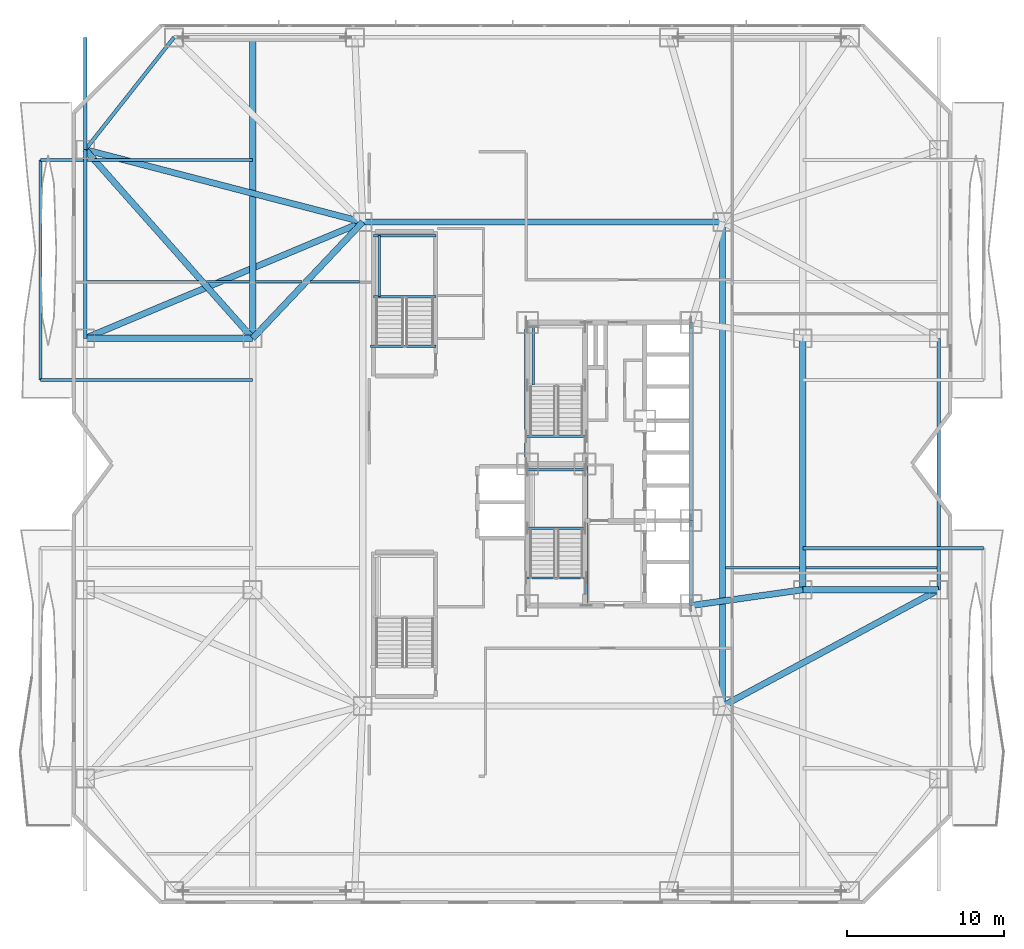
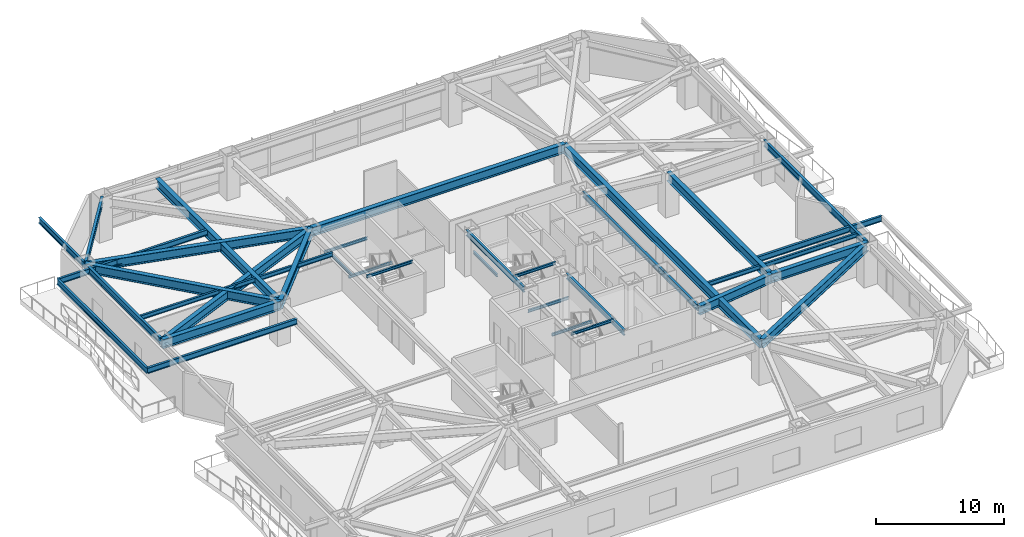
# One storey, part 2 of 25: 39 beams.
"""IFC4 building model written with IfcOpenShell, lengths in metres."""

from ifc_helpers import new_model, si_unit, direction, frame, origin, origin_2d, place, context, subcontext, project, spatial, i_section, extrude, material, material_profile, profile_set, type_object, element, save


model = new_model("IFC4")

# Units and contexts
model_context = context("Model", 3, precision=1e-05, world=origin(), true_north=direction((0.0, 1.0)))
body_context = subcontext(model_context, "Body", "Model", "MODEL_VIEW")
ifc_project = project(units=[si_unit("LENGTHUNIT", "METRE"), si_unit("AREAUNIT", "SQUARE_METRE"), si_unit("VOLUMEUNIT", "CUBIC_METRE"), si_unit("PLANEANGLEUNIT", "RADIAN"), si_unit("MASSUNIT", "GRAM", prefix="KILO")], contexts=[model_context])

# Site, building, storey
site_placement = place(None, origin())
site = spatial("IfcSite", under=ifc_project, at=site_placement, CompositionType="ELEMENT")
building_placement = place(site_placement, origin())
building = spatial("IfcBuilding", under=site, at=building_placement, Name="Khamvora Tower", CompositionType="ELEMENT")
storey_placement = place(building_placement, frame((0.0, 0.0, 24.60009765625)))
storey = spatial("IfcBuildingStorey", under=building, at=storey_placement, Name="L05", CompositionType="ELEMENT", Elevation=24.60009765625)

# Beams
ifc_material = material(Name="Steel S355", Category="steel")
ifc_material_profile_1 = material_profile(ifc_material, i_section(OverallWidth=0.177978515625, OverallDepth=0.406982421875, WebThickness=0.008056640625, FlangeThickness=0.012939453125, FilletRadius=0.010009765625, at=origin_2d()), Name="W410x60")
ifc_profile_set_1 = profile_set([ifc_material_profile_1], Name="Steel S355")
beam_type_1 = type_object("IfcBeamType", Name="BM-JS-W410x60", PredefinedType="JOIST", material=ifc_profile_set_1)
beam_1_placement = place(storey_placement, frame((41.594970703125, 21.39990234375, 3.716796875), z_axis=(1.0, 0.0, 0.0), x_axis=(0.0, 1.0, 0.0)))
element("IfcBeam", 1, at=beam_1_placement, inside=storey, type_object=beam_type_1, Name="L05 secondary floor joist 09", PredefinedType="JOIST", context=body_context, shape_type="SweptSolid", body=[
    extrude(i_section(OverallWidth=0.177978515625, OverallDepth=0.406982421875, WebThickness=0.008056640625, FlangeThickness=0.012939453125, FilletRadius=0.010009765625, at=origin_2d()), origin(), (0.0, 0.0, 1.0), 4.7099609375),
])
beam_2_placement = place(storey_placement, frame((46.695068359375, 21.39990234375, 3.716796875), z_axis=(1.0, 0.0, 0.0), x_axis=(0.0, 1.0, 0.0)))
element("IfcBeam", 2, at=beam_2_placement, inside=storey, type_object=beam_type_1, Name="L05 secondary floor joist 10", PredefinedType="JOIST", context=body_context, shape_type="SweptSolid", body=[
    extrude(i_section(OverallWidth=0.177978515625, OverallDepth=0.406982421875, WebThickness=0.008056640625, FlangeThickness=0.012939453125, FilletRadius=0.010009765625, at=origin_2d()), origin(), (0.0, 0.0, 1.0), 8.344970703125),
])
beam_3_placement = place(storey_placement, frame((0.9599609375, 39.60009765625, 3.716796875), z_axis=(1.0, 0.0, 0.0), x_axis=(0.0, 1.0, 0.0)))
element("IfcBeam", 3, at=beam_3_placement, inside=storey, type_object=beam_type_1, Name="L05 secondary floor joist 11", PredefinedType="JOIST", context=body_context, shape_type="SweptSolid", body=[
    extrude(i_section(OverallWidth=0.177978515625, OverallDepth=0.406982421875, WebThickness=0.008056640625, FlangeThickness=0.012939453125, FilletRadius=0.010009765625, at=origin_2d()), origin(), (0.0, 0.0, 1.0), 7.0830078125),
])
beam_4_placement = place(storey_placement, frame((8.56689453125, 39.60009765625, 3.716796875), z_axis=(1.0, 0.0, 0.0), x_axis=(0.0, 1.0, 0.0)))
element("IfcBeam", 4, at=beam_4_placement, inside=storey, type_object=beam_type_1, Name="L05 secondary floor joist 12", PredefinedType="JOIST", context=body_context, shape_type="SweptSolid", body=[
    extrude(i_section(OverallWidth=0.177978515625, OverallDepth=0.406982421875, WebThickness=0.008056640625, FlangeThickness=0.012939453125, FilletRadius=0.010009765625, at=origin_2d()), origin(), (0.0, 0.0, 1.0), 2.738037109375),
])
beam_5_placement = place(storey_placement, frame((11.695068359375, 39.60009765625, 3.716796875), z_axis=(1.0, 0.0, 0.0), x_axis=(0.0, 1.0, 0.0)))
element("IfcBeam", 5, at=beam_5_placement, inside=storey, type_object=beam_type_1, Name="L05 secondary floor joist 13", PredefinedType="JOIST", context=body_context, shape_type="SweptSolid", body=[
    extrude(i_section(OverallWidth=0.177978515625, OverallDepth=0.406982421875, WebThickness=0.008056640625, FlangeThickness=0.012939453125, FilletRadius=0.010009765625, at=origin_2d()), origin(), (0.0, 0.0, 1.0), 2.93994140625),
])
beam_6_placement = place(storey_placement, frame((15.176025390625, 39.60009765625, 3.716796875), z_axis=(1.0, 0.0, 0.0), x_axis=(0.0, 1.0, 0.0)))
element("IfcBeam", 6, at=beam_6_placement, inside=storey, type_object=beam_type_1, Name="L05 secondary floor joist 14", PredefinedType="JOIST", context=body_context, shape_type="SweptSolid", body=[
    extrude(i_section(OverallWidth=0.177978515625, OverallDepth=0.406982421875, WebThickness=0.008056640625, FlangeThickness=0.012939453125, FilletRadius=0.010009765625, at=origin_2d()), origin(), (0.0, 0.0, 1.0), 3.12890625),
])
ifc_material_profile_2 = material_profile(ifc_material, i_section(OverallWidth=0.14697265625, OverallDepth=0.261962890625, WebThickness=0.007080078125, FlangeThickness=0.010986328125, FilletRadius=0.008056640625, at=origin_2d()), Name="W250x39")
ifc_profile_set_2 = profile_set([ifc_material_profile_2], Name="Steel S355")
beam_type_2 = type_object("IfcBeamType", Name="BM-LN-W250x39", PredefinedType="LINTEL", material=ifc_profile_set_2)
for number, where, z_axis, x_axis, name in (
    (7, (29.0, 23.9150390625, 1.768798828125), (1.0, 0.0, 0.0), (0.0, 1.0, 0.0), "L05 ST-01 half-landing support beam 1.1"),
    (8, (29.0, 27.6298828125, 1.768798828125), (1.0, 0.0, 0.0), (0.0, 1.0, 0.0), "L05 ST-01 half-landing support beam 1.2"),
):
    element("IfcBeam", number, at=place(storey_placement, frame(where, z_axis=z_axis, x_axis=x_axis)), inside=storey, type_object=beam_type_2, Name=name, PredefinedType="LINTEL", context=body_context, shape_type="SweptSolid", body=[
        extrude(i_section(OverallWidth=0.14697265625, OverallDepth=0.261962890625, WebThickness=0.007080078125, FlangeThickness=0.010986328125, FilletRadius=0.008056640625, at=origin_2d()), origin(), (0.0, 0.0, 1.0), 3.64990234375),
    ])
beam_7_placement = place(storey_placement, frame((29.35009765625, 33.014892578125, 1.768798828125), z_axis=(0.0, 1.0, 0.0), x_axis=(-1.0, 0.0, 0.0)))
element("IfcBeam", 9, at=beam_7_placement, inside=storey, type_object=beam_type_2, Name="L05 ST-02 half-landing edge stringer 1", PredefinedType="LINTEL", context=body_context, shape_type="SweptSolid", body=[
    extrude(i_section(OverallWidth=0.14697265625, OverallDepth=0.261962890625, WebThickness=0.007080078125, FlangeThickness=0.010986328125, FilletRadius=0.008056640625, at=origin_2d()), origin(), (0.0, 0.0, 1.0), 3.715087890625),
])
for number, where, z_axis, x_axis, name in (
    (10, (19.199951171875, 38.6650390625, 1.768798828125), (1.0, 0.0, 0.0), (0.0, 1.0, 0.0), "L05 ST-04 half-landing support beam 1.1"),
    (11, (19.199951171875, 42.530029296875, 1.768798828125), (1.0, 0.0, 0.0), (0.0, 1.0, 0.0), "L05 ST-04 half-landing support beam 1.2"),
):
    element("IfcBeam", number, at=place(storey_placement, frame(where, z_axis=z_axis, x_axis=x_axis)), inside=storey, type_object=beam_type_2, Name=name, PredefinedType="LINTEL", context=body_context, shape_type="SweptSolid", body=[
        extrude(i_section(OverallWidth=0.14697265625, OverallDepth=0.261962890625, WebThickness=0.007080078125, FlangeThickness=0.010986328125, FilletRadius=0.008056640625, at=origin_2d()), origin(), (0.0, 0.0, 1.0), 3.949951171875),
    ])
beam_8_placement = place(storey_placement, frame((19.550048828125, 38.6650390625, 1.768798828125), z_axis=(0.0, 1.0, 0.0), x_axis=(-1.0, 0.0, 0.0)))
element("IfcBeam", 12, at=beam_8_placement, inside=storey, type_object=beam_type_2, Name="L05 ST-04 half-landing edge stringer 1", PredefinedType="LINTEL", context=body_context, shape_type="SweptSolid", body=[
    extrude(i_section(OverallWidth=0.14697265625, OverallDepth=0.261962890625, WebThickness=0.007080078125, FlangeThickness=0.010986328125, FilletRadius=0.008056640625, at=origin_2d()), origin(), (0.0, 0.0, 1.0), 3.864990234375),
])
for number, where, z_axis, x_axis, name in (
    (13, (28.89990234375, 20.75, 3.7939453125), (1.0, 0.0, 0.0), (0.0, 1.0, 0.0), "L05 exit stair ST-01 landing trimmer beam"),
    (14, (28.89990234375, 29.75, 3.7939453125), (1.0, 0.0, 0.0), (0.0, 1.0, 0.0), "L05 exit stair ST-02 landing trimmer beam"),
):
    element("IfcBeam", number, at=place(storey_placement, frame(where, z_axis=z_axis, x_axis=x_axis)), inside=storey, type_object=beam_type_2, Name=name, PredefinedType="LINTEL", context=body_context, shape_type="SweptSolid", body=[
        extrude(i_section(OverallWidth=0.14697265625, OverallDepth=0.261962890625, WebThickness=0.007080078125, FlangeThickness=0.010986328125, FilletRadius=0.008056640625, at=origin_2d()), origin(), (0.0, 0.0, 1.0), 3.830078125),
    ])
beam_9_placement = place(storey_placement, frame((19.0, 35.5, 3.7939453125), z_axis=(1.0, 0.0, 0.0), x_axis=(0.0, 1.0, 0.0)))
element("IfcBeam", 15, at=beam_9_placement, inside=storey, type_object=beam_type_2, Name="L05 podium stair ST04 landing trimmer beam", PredefinedType="LINTEL", context=body_context, shape_type="SweptSolid", body=[
    extrude(i_section(OverallWidth=0.14697265625, OverallDepth=0.261962890625, WebThickness=0.007080078125, FlangeThickness=0.010986328125, FilletRadius=0.008056640625, at=origin_2d()), origin(), (0.0, 0.0, 1.0), 4.14990234375),
])
ifc_material_profile_3 = material_profile(ifc_material, i_section(OverallWidth=0.39990234375, OverallDepth=0.85498046875, WebThickness=0.01806640625, FlangeThickness=0.029052734375, FilletRadius=0.01806640625, at=origin_2d()), Name="W840x299")
ifc_profile_set_3 = profile_set([ifc_material_profile_3], Name="Steel S355")
beam_type_3 = type_object("IfcBeamType", Name="BM-PG-W840x299", PredefinedType="BEAM", material=ifc_profile_set_3)
beam_10_placement = place(storey_placement, frame((41.39990234375, 12.60009765625, 3.492919921875), z_axis=(0.0, 1.0, 0.0), x_axis=(-1.0, 0.0, 0.0)))
element("IfcBeam", 16, at=beam_10_placement, inside=storey, type_object=beam_type_3, Name="L05 longitudinal frame girder P18-P20", PredefinedType="BEAM", context=body_context, shape_type="SweptSolid", body=[
    extrude(i_section(OverallWidth=0.39990234375, OverallDepth=0.85498046875, WebThickness=0.01806640625, FlangeThickness=0.029052734375, FilletRadius=0.01806640625, at=origin_2d()), origin(), (0.0, 0.0, 1.0), 30.7998046875),
])
beam_11_placement = place(storey_placement, frame((18.5, 43.39990234375, 3.492919921875), z_axis=(1.0, 0.0, 0.0), x_axis=(0.0, 1.0, 0.0)))
element("IfcBeam", 17, at=beam_11_placement, inside=storey, type_object=beam_type_3, Name="L05 longitudinal frame girder P19-P20", PredefinedType="BEAM", context=body_context, shape_type="SweptSolid", body=[
    extrude(i_section(OverallWidth=0.39990234375, OverallDepth=0.85498046875, WebThickness=0.01806640625, FlangeThickness=0.029052734375, FilletRadius=0.01806640625, at=origin_2d()), origin(), (0.0, 0.0, 1.0), 22.89990234375),
])
beam_12_placement = place(storey_placement, frame((46.5, 20.0, 3.492919921875), z_axis=(0.0, 1.0, 0.0), x_axis=(-1.0, 0.0, 0.0)))
element("IfcBeam", 18, at=beam_12_placement, inside=storey, type_object=beam_type_3, Name="L05 longitudinal frame girder P23-P24", PredefinedType="BEAM", context=body_context, shape_type="SweptSolid", body=[
    extrude(i_section(OverallWidth=0.39990234375, OverallDepth=0.85498046875, WebThickness=0.01806640625, FlangeThickness=0.029052734375, FilletRadius=0.01806640625, at=origin_2d()), origin(), (0.0, 0.0, 1.0), 16.0),
])
beam_13_placement = place(storey_placement, frame((11.5, 36.0, 3.492919921875), z_axis=(-1.0, 0.0, 0.0), x_axis=(0.0, -1.0, 0.0)))
element("IfcBeam", 19, at=beam_13_placement, inside=storey, type_object=beam_type_3, Name="L05 primary floor girder P11", PredefinedType="BEAM", context=body_context, shape_type="SweptSolid", body=[
    extrude(i_section(OverallWidth=0.39990234375, OverallDepth=0.85498046875, WebThickness=0.01806640625, FlangeThickness=0.029052734375, FilletRadius=0.01806640625, at=origin_2d()), origin(), (0.0, 0.0, 1.0), 10.64990234375),
])
beam_14_placement = place(storey_placement, frame((11.5, 36.0, 3.492919921875), z_axis=(-0.6637799472, 0.747927925468, 0.0), x_axis=(-0.747927925468, -0.6637799472, 0.0)))
element("IfcBeam", 20, at=beam_14_placement, inside=storey, type_object=beam_type_3, Name="L05 primary floor girder P12", PredefinedType="BEAM", context=body_context, shape_type="SweptSolid", body=[
    extrude(i_section(OverallWidth=0.39990234375, OverallDepth=0.85498046875, WebThickness=0.01806640625, FlangeThickness=0.029052734375, FilletRadius=0.01806640625, at=origin_2d()), origin(), (0.0, 0.0, 1.0), 16.04443359375),
])
beam_15_placement = place(storey_placement, frame((46.5, 20.0, 3.492919921875), z_axis=(1.0, 0.0, 0.0), x_axis=(0.0, 1.0, 0.0)))
element("IfcBeam", 21, at=beam_15_placement, inside=storey, type_object=beam_type_3, Name="L05 primary floor girder P14", PredefinedType="BEAM", context=body_context, shape_type="SweptSolid", body=[
    extrude(i_section(OverallWidth=0.39990234375, OverallDepth=0.85498046875, WebThickness=0.01806640625, FlangeThickness=0.029052734375, FilletRadius=0.01806640625, at=origin_2d()), origin(), (0.0, 0.0, 1.0), 8.64990234375),
])
beam_16_placement = place(storey_placement, frame((18.5, 43.39990234375, 3.492919921875), z_axis=(-0.687204640029, -0.726463889483, 0.0), x_axis=(0.726463889483, -0.687204640029, 0.0)))
element("IfcBeam", 22, at=beam_16_placement, inside=storey, type_object=beam_type_3, Name="L05 primary floor girder P22", PredefinedType="BEAM", context=body_context, shape_type="SweptSolid", body=[
    extrude(i_section(OverallWidth=0.39990234375, OverallDepth=0.85498046875, WebThickness=0.01806640625, FlangeThickness=0.029052734375, FilletRadius=0.01806640625, at=origin_2d()), origin(), (0.0, 0.0, 1.0), 10.186279296875),
])
beam_17_placement = place(storey_placement, frame((39.39990234375, 19.0, 3.492919921875), z_axis=(0.990226770029, 0.139466640879, 0.0), x_axis=(-0.139466640879, 0.990226770029, 0.0)))
element("IfcBeam", 23, at=beam_17_placement, inside=storey, type_object=beam_type_3, Name="L05 primary floor girder P23", PredefinedType="BEAM", context=body_context, shape_type="SweptSolid", body=[
    extrude(i_section(OverallWidth=0.39990234375, OverallDepth=0.85498046875, WebThickness=0.01806640625, FlangeThickness=0.029052734375, FilletRadius=0.01806640625, at=origin_2d()), origin(), (0.0, 0.0, 1.0), 7.170166015625),
])
beam_18_placement = place(storey_placement, frame((55.14990234375, 20.0, 3.492919921875), z_axis=(-0.880576508414, -0.473904012252, 0.0), x_axis=(0.473904012252, -0.880576508414, 0.0)))
element("IfcBeam", 24, at=beam_18_placement, inside=storey, type_object=beam_type_3, Name="L05 east plinth tie girder 2", PredefinedType="BEAM", context=body_context, shape_type="SweptSolid", body=[
    extrude(i_section(OverallWidth=0.39990234375, OverallDepth=0.85498046875, WebThickness=0.01806640625, FlangeThickness=0.029052734375, FilletRadius=0.01806640625, at=origin_2d()), origin(), (0.0, 0.0, 1.0), 15.61474609375),
])
beam_19_placement = place(storey_placement, frame((0.85009765625, 36.0, 3.492919921875), z_axis=(0.922225491396, 0.386652483529, 0.0), x_axis=(-0.386652483529, 0.922225491396, 0.0)))
element("IfcBeam", 25, at=beam_19_placement, inside=storey, type_object=beam_type_3, Name="L05 west plinth tie girder 3", PredefinedType="BEAM", context=body_context, shape_type="SweptSolid", body=[
    extrude(i_section(OverallWidth=0.39990234375, OverallDepth=0.85498046875, WebThickness=0.01806640625, FlangeThickness=0.029052734375, FilletRadius=0.01806640625, at=origin_2d()), origin(), (0.0, 0.0, 1.0), 19.138427734375),
])
beam_20_placement = place(storey_placement, frame((0.85009765625, 48.0, 3.492919921875), z_axis=(0.967673821538, -0.252205025942, 0.0), x_axis=(0.252205025942, 0.967673821538, 0.0)))
element("IfcBeam", 26, at=beam_20_placement, inside=storey, type_object=beam_type_3, Name="L05 west plinth tie girder 4", PredefinedType="BEAM", context=body_context, shape_type="SweptSolid", body=[
    extrude(i_section(OverallWidth=0.39990234375, OverallDepth=0.85498046875, WebThickness=0.01806640625, FlangeThickness=0.029052734375, FilletRadius=0.01806640625, at=origin_2d()), origin(), (0.0, 0.0, 1.0), 18.239501953125),
])
beam_21_placement = place(storey_placement, frame((11.5, 36.0, 3.492919921875), z_axis=(0.0, 1.0, 0.0), x_axis=(-1.0, 0.0, 0.0)))
element("IfcBeam", 27, at=beam_21_placement, inside=storey, type_object=beam_type_3, Name="L05 gallery collector girder W.3", PredefinedType="BEAM", context=body_context, shape_type="SweptSolid", body=[
    extrude(i_section(OverallWidth=0.39990234375, OverallDepth=0.85498046875, WebThickness=0.01806640625, FlangeThickness=0.029052734375, FilletRadius=0.01806640625, at=origin_2d()), origin(), (0.0, 0.0, 1.0), 19.14990234375),
])
ifc_material_profile_4 = material_profile(ifc_material, i_section(OverallWidth=0.2119140625, OverallDepth=0.5439453125, WebThickness=0.012939453125, FlangeThickness=0.02099609375, FilletRadius=0.013916015625, at=origin_2d()), Name="W530x123")
ifc_profile_set_4 = profile_set([ifc_material_profile_4], Name="Steel S355")
beam_type_4 = type_object("IfcBeamType", Name="BM-SP-W530x123", PredefinedType="SPANDREL", material=ifc_profile_set_4)
beam_22_placement = place(storey_placement, frame((0.85009765625, 48.0, 3.64794921875), z_axis=(0.0, 1.0, 0.0), x_axis=(-1.0, 0.0, 0.0)))
element("IfcBeam", 28, at=beam_22_placement, inside=storey, type_object=beam_type_4, Name="L05 W perimeter edge spandrel 5", PredefinedType="SPANDREL", context=body_context, shape_type="SweptSolid", body=[
    extrude(i_section(OverallWidth=0.2119140625, OverallDepth=0.5439453125, WebThickness=0.012939453125, FlangeThickness=0.02099609375, FilletRadius=0.013916015625, at=origin_2d()), origin(), (0.0, 0.0, 1.0), 7.14990234375),
])
ifc_material_profile_5 = material_profile(ifc_material, i_section(OverallWidth=0.208984375, OverallDepth=0.532958984375, WebThickness=0.010009765625, FlangeThickness=0.01611328125, FilletRadius=0.013916015625, at=origin_2d()), Name="W530x92")
ifc_profile_set_5 = profile_set([ifc_material_profile_5], Name="Steel S355")
beam_type_5 = type_object("IfcBeamType", Name="BM-SP-W530x92", PredefinedType="SPANDREL", material=ifc_profile_set_5)
for number, where, z_axis, x_axis, name in (
    (29, (28.89990234375, 28.0, 3.65283203125), (0.0, 1.0, 0.0), (-1.0, 0.0, 0.0), "L05 core spine girder WN"),
    (30, (32.72998046875, 19.0, 3.65283203125), (0.0, 1.0, 0.0), (-1.0, 0.0, 0.0), "L05 core spine girder M1S"),
):
    element("IfcBeam", number, at=place(storey_placement, frame(where, z_axis=z_axis, x_axis=x_axis)), inside=storey, type_object=beam_type_5, Name=name, PredefinedType="SPANDREL", context=body_context, shape_type="SweptSolid", body=[
        extrude(i_section(OverallWidth=0.208984375, OverallDepth=0.532958984375, WebThickness=0.010009765625, FlangeThickness=0.01611328125, FilletRadius=0.013916015625, at=origin_2d()), origin(), (0.0, 0.0, 1.0), 9.0),
    ])
beam_23_placement = place(storey_placement, frame((39.39990234375, 19.0, 3.65283203125), z_axis=(0.0, 1.0, 0.0), x_axis=(-1.0, 0.0, 0.0)))
element("IfcBeam", 31, at=beam_23_placement, inside=storey, type_object=beam_type_5, Name="L05 core spine girder ES", PredefinedType="SPANDREL", context=body_context, shape_type="SweptSolid", body=[
    extrude(i_section(OverallWidth=0.208984375, OverallDepth=0.532958984375, WebThickness=0.010009765625, FlangeThickness=0.01611328125, FilletRadius=0.013916015625, at=origin_2d()), origin(), (0.0, 0.0, 1.0), 5.39990234375),
])
beam_24_placement = place(storey_placement, frame((39.39990234375, 24.39990234375, 3.65283203125), z_axis=(0.0, 1.0, 0.0), x_axis=(-1.0, 0.0, 0.0)))
element("IfcBeam", 32, at=beam_24_placement, inside=storey, type_object=beam_type_5, Name="L05 core spine girder EN", PredefinedType="SPANDREL", context=body_context, shape_type="SweptSolid", body=[
    extrude(i_section(OverallWidth=0.208984375, OverallDepth=0.532958984375, WebThickness=0.010009765625, FlangeThickness=0.01611328125, FilletRadius=0.013916015625, at=origin_2d()), origin(), (0.0, 0.0, 1.0), 12.60009765625),
])
beam_25_placement = place(storey_placement, frame((46.5, 22.64990234375, 3.512939453125), z_axis=(1.0, 0.0, 0.0), x_axis=(0.0, 1.0, 0.0)))
element("IfcBeam", 33, at=beam_25_placement, inside=storey, type_object=beam_type_5, Name="L05 continuous gallery cantilever girder L06-EL1-2", PredefinedType="SPANDREL", context=body_context, shape_type="SweptSolid", body=[
    extrude(i_section(OverallWidth=0.208984375, OverallDepth=0.532958984375, WebThickness=0.010009765625, FlangeThickness=0.01611328125, FilletRadius=0.013916015625, at=origin_2d()), origin(), (0.0, 0.0, 1.0), 11.5),
])
for number, where, z_axis, x_axis, name in (
    (34, (11.5, 33.35009765625, 3.512939453125), (-1.0, 0.0, 0.0), (0.0, -1.0, 0.0), "L05 continuous gallery cantilever girder L06-WL2-1"),
    (35, (11.5, 47.35009765625, 3.512939453125), (-1.0, 0.0, 0.0), (0.0, -1.0, 0.0), "L05 continuous gallery cantilever girder L06-WL2-2"),
):
    element("IfcBeam", number, at=place(storey_placement, frame(where, z_axis=z_axis, x_axis=x_axis)), inside=storey, type_object=beam_type_5, Name=name, PredefinedType="SPANDREL", context=body_context, shape_type="SweptSolid", body=[
        extrude(i_section(OverallWidth=0.208984375, OverallDepth=0.532958984375, WebThickness=0.010009765625, FlangeThickness=0.01611328125, FilletRadius=0.013916015625, at=origin_2d()), origin(), (0.0, 0.0, 1.0), 13.5),
    ])
beam_26_placement = place(storey_placement, frame((-2.0, 33.35009765625, 3.512939453125), z_axis=(0.0, 1.0, 0.0), x_axis=(-1.0, 0.0, 0.0)))
element("IfcBeam", 36, at=beam_26_placement, inside=storey, type_object=beam_type_5, Name="L05 external gallery edge header beam L06-WL2", PredefinedType="SPANDREL", context=body_context, shape_type="SweptSolid", body=[
    extrude(i_section(OverallWidth=0.208984375, OverallDepth=0.532958984375, WebThickness=0.010009765625, FlangeThickness=0.01611328125, FilletRadius=0.013916015625, at=origin_2d()), origin(), (0.0, 0.0, 1.0), 14.0),
])
ifc_material_profile_6 = material_profile(ifc_material, i_section(OverallWidth=0.22998046875, OverallDepth=0.616943359375, WebThickness=0.012939453125, FlangeThickness=0.02197265625, FilletRadius=0.013916015625, at=origin_2d()), Name="W610x140")
ifc_profile_set_6 = profile_set([ifc_material_profile_6], Name="Steel S355")
beam_type_6 = type_object("IfcBeamType", Name="BM-SP-W610x140", PredefinedType="SPANDREL", material=ifc_profile_set_6)
beam_27_placement = place(storey_placement, frame((55.14990234375, 20.0, 3.61181640625), z_axis=(0.0, 1.0, 0.0), x_axis=(-1.0, 0.0, 0.0)))
element("IfcBeam", 37, at=beam_27_placement, inside=storey, type_object=beam_type_6, Name="L05 perimeter spandrel beam P14-P15", PredefinedType="SPANDREL", context=body_context, shape_type="SweptSolid", body=[
    extrude(i_section(OverallWidth=0.22998046875, OverallDepth=0.616943359375, WebThickness=0.012939453125, FlangeThickness=0.02197265625, FilletRadius=0.013916015625, at=origin_2d()), origin(), (0.0, 0.0, 1.0), 16.0),
])
beam_28_placement = place(storey_placement, frame((6.5, 55.14990234375, 3.61181640625), z_axis=(-0.619998635429, -0.784602888133, 0.0), x_axis=(0.784602888133, -0.619998635429, 0.0)))
element("IfcBeam", 38, at=beam_28_placement, inside=storey, type_object=beam_type_6, Name="L05 perimeter spandrel beam P05-P12", PredefinedType="SPANDREL", context=body_context, shape_type="SweptSolid", body=[
    extrude(i_section(OverallWidth=0.22998046875, OverallDepth=0.616943359375, WebThickness=0.012939453125, FlangeThickness=0.02197265625, FilletRadius=0.013916015625, at=origin_2d()), origin(), (0.0, 0.0, 1.0), 9.11279296875),
])
beam_29_placement = place(storey_placement, frame((0.85009765625, 48.0, 3.61181640625), z_axis=(0.0, -1.0, 0.0), x_axis=(1.0, 0.0, 0.0)))
element("IfcBeam", 39, at=beam_29_placement, inside=storey, type_object=beam_type_6, Name="L05 perimeter spandrel beam P12-P11", PredefinedType="SPANDREL", context=body_context, shape_type="SweptSolid", body=[
    extrude(i_section(OverallWidth=0.22998046875, OverallDepth=0.616943359375, WebThickness=0.012939453125, FlangeThickness=0.02197265625, FilletRadius=0.013916015625, at=origin_2d()), origin(), (0.0, 0.0, 1.0), 12.0),
])

save(model, "model.ifc")
